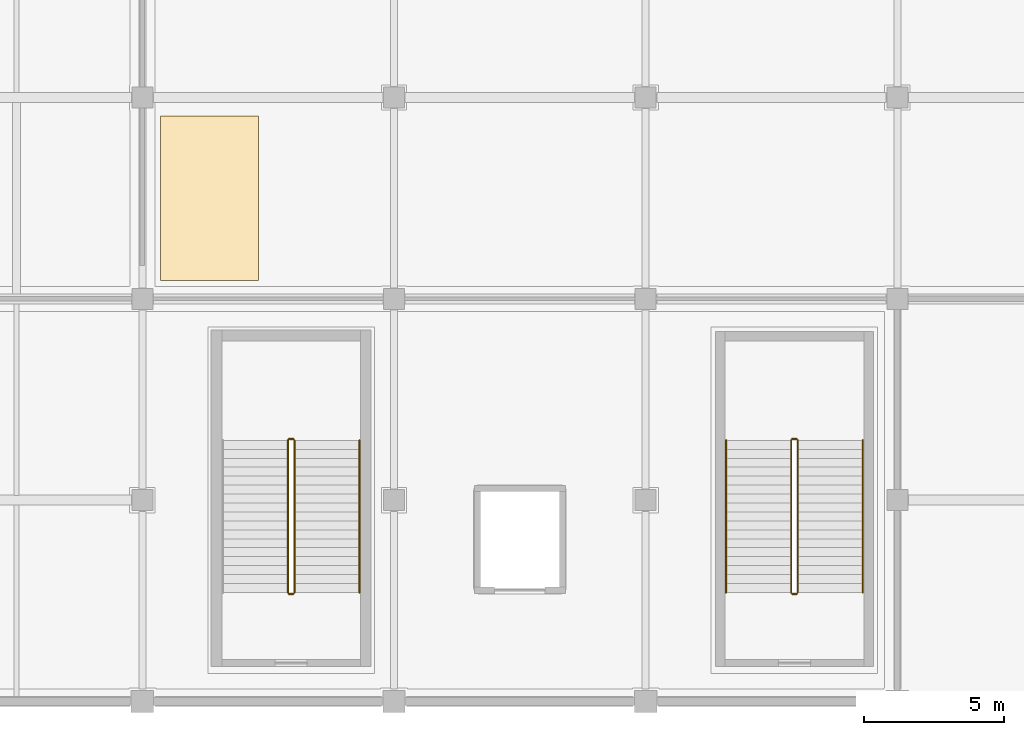
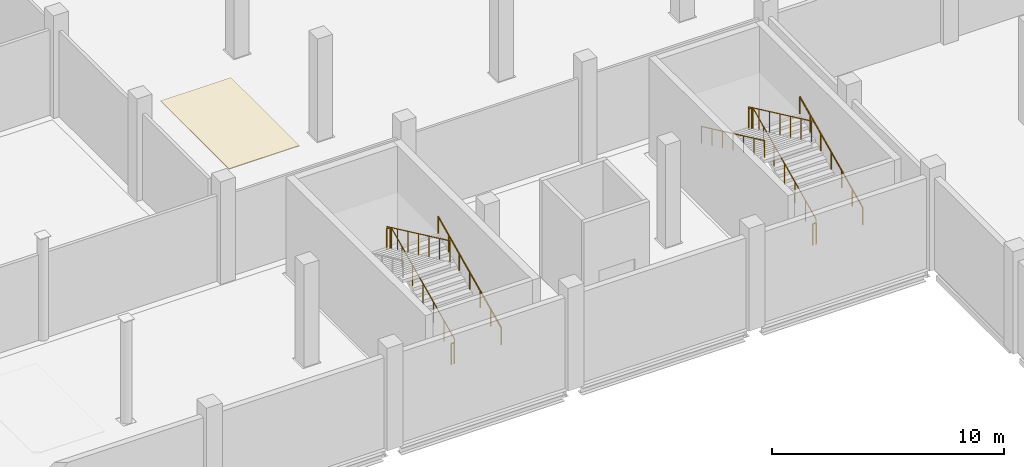
# One storey, part 163 of 189: 11 railings, 1 covering.
"""IFC4 building model written with IfcOpenShell, lengths in metres."""

from ifc_helpers import new_model, si_unit, direction, frame, origin, origin_2d, place, context, subcontext, project, spatial, polyline, circle, outline, extrude, material, layer, layer_set, type_object, element, save


model = new_model("IFC4")

# Units and contexts
model_context = context("Model", 3, precision=1e-05, world=origin(), true_north=direction((0.0, 1.0)))
body_context = subcontext(model_context, "Body", "Model", "MODEL_VIEW")
ifc_project = project(units=[si_unit("LENGTHUNIT", "METRE"), si_unit("AREAUNIT", "SQUARE_METRE"), si_unit("VOLUMEUNIT", "CUBIC_METRE"), si_unit("PLANEANGLEUNIT", "RADIAN"), si_unit("MASSUNIT", "GRAM", prefix="KILO")], contexts=[model_context])

# Site, building, storey
site_placement = place(None, origin())
site = spatial("IfcSite", under=ifc_project, at=site_placement, CompositionType="ELEMENT")
building_placement = place(site_placement, origin())
building = spatial("IfcBuilding", under=site, at=building_placement, Name="Celestram Park Convention Centre", CompositionType="ELEMENT")
storey_placement = place(building_placement, frame((0.0, 0.0, 5.39990234375)))
storey = spatial("IfcBuildingStorey", under=building, at=storey_placement, Name="L01", CompositionType="ELEMENT", Elevation=5.39990234375)

# Covering
ifc_material_1 = material(Name="Perforated Acoustic Mineral-Fibre Baffle Ceiling", Category="gypsum")
ifc_layer_1 = layer(ifc_material_1, 0.0400390625)
ifc_layer_set_1 = layer_set([ifc_layer_1], Name="Perforated Acoustic Mineral-Fibre Baffle Ceiling")
covering_type = type_object("IfcCoveringType", Name="ARC-COV-CLG040", PredefinedType="CEILING", material=ifc_layer_set_1)
covering_placement = place(storey_placement, frame((0.0, 0.0, 5.080078125)))
element("IfcCovering", 1, at=covering_placement, inside=storey, type_object=covering_type, Name="Lakefront Delegate Dining Hall acoustic baffle ceiling", PredefinedType="CEILING", context=body_context, shape_type="SweptSolid", body=[
    extrude(outline(polyline([(99.64990234375, 123.050048828125), (103.14990234375, 123.050048828125), (103.14990234375, 128.949951171875), (99.64990234375, 128.949951171875), (99.64990234375, 123.050048828125)])), origin(), (0.0, 0.0, 1.0), 0.0400390625),
])

# Railings
ifc_material_2 = material(Name="Stainless Steel AISI 316L & Laminated Glass", Category="steel")
ifc_layer_2 = layer(ifc_material_2, 0.06005859375)
ifc_layer_set_2 = layer_set([ifc_layer_2], Name="Stainless Steel AISI 316L & Laminated Glass")
railing_type_1 = type_object("IfcRailingType", Name="ARC-RL-GRD1120", PredefinedType="GUARDRAIL", material=ifc_layer_set_2)
railing_1_placement = place(storey_placement, frame((104.43603515625, 111.89990234375, 0.150146484375)))
element("IfcRailing", 2, at=railing_1_placement, inside=storey, type_object=railing_type_1, Name="L01 ST-03 stair guard 1", PredefinedType="GUARDRAIL", context=body_context, shape_type="SweptSolid", body=[
    extrude(circle(Radius=0.02392578125, at=origin_2d()), frame((0.0, 0.0, 1.09619140625), z_axis=(0.0, 0.905461375974, 0.424428670827), x_axis=(-1.0, 0.0, 0.0)), (0.0, 0.0, 1.0), 6.00830078125),
    extrude(circle(Radius=0.02099609375, at=origin_2d()), origin(), (0.0, 0.0, 1.0), 1.072021484375),
    extrude(circle(Radius=0.02099609375, at=origin_2d()), frame((0.0, 0.90673828125, 0.425048828125)), (0.0, 0.0, 1.0), 1.072021484375),
    extrude(circle(Radius=0.02099609375, at=origin_2d()), frame((0.0, 1.8134765625, 0.85009765625)), (0.0, 0.0, 1.0), 1.072021484375),
    extrude(circle(Radius=0.02099609375, at=origin_2d()), frame((0.0, 2.72021484375, 1.27490234375)), (0.0, 0.0, 1.0), 1.072021484375),
    extrude(circle(Radius=0.02099609375, at=origin_2d()), frame((0.0, 3.626708984375, 1.699951171875)), (0.0, 0.0, 1.0), 1.072021484375),
    extrude(circle(Radius=0.02099609375, at=origin_2d()), frame((0.0, 4.533447265625, 2.125)), (0.0, 0.0, 1.0), 1.072021484375),
    extrude(circle(Radius=0.02099609375, at=origin_2d()), frame((0.0, 5.440185546875, 2.550048828125)), (0.0, 0.0, 1.0), 1.072021484375),
])
railing_2_placement = place(storey_placement, frame((104.39990234375, 117.389892578125, 2.7001953125)))
element("IfcRailing", 3, at=railing_2_placement, inside=storey, type_object=railing_type_1, Name="L01 ST-03 stair guard 2", PredefinedType="GUARDRAIL", context=body_context, shape_type="SweptSolid", body=[
    extrude(circle(Radius=0.02392578125, at=origin_2d()), frame((0.0, 0.0, 1.09619140625), z_axis=(-1.0, 0.0, 0.0), x_axis=(0.0, -1.0, 0.0)), (0.0, 0.0, 1.0), 0.159912109375),
    extrude(circle(Radius=0.02099609375, at=origin_2d()), origin(), (0.0, 0.0, 1.0), 1.072021484375),
    extrude(circle(Radius=0.02099609375, at=origin_2d()), frame((-0.159912109375, 0.0, 0.0)), (0.0, 0.0, 1.0), 1.072021484375),
])
railing_3_placement = place(storey_placement, frame((104.2041015625, 117.340087890625, 2.85009765625)))
element("IfcRailing", 4, at=railing_3_placement, inside=storey, type_object=railing_type_1, Name="L01 ST-03 stair guard 3", PredefinedType="GUARDRAIL", context=body_context, shape_type="SweptSolid", body=[
    extrude(circle(Radius=0.02392578125, at=origin_2d()), frame((0.0, 0.0, 1.09619140625), z_axis=(0.0, -0.905461375974, 0.424428670827), x_axis=(1.0, 0.0, 0.0)), (0.0, 0.0, 1.0), 6.00830078125),
    extrude(circle(Radius=0.02099609375, at=origin_2d()), origin(), (0.0, 0.0, 1.0), 1.072021484375),
    extrude(circle(Radius=0.02099609375, at=origin_2d()), frame((0.0, -0.90673828125, 0.425048828125)), (0.0, 0.0, 1.0), 1.072021484375),
    extrude(circle(Radius=0.02099609375, at=origin_2d()), frame((0.0, -1.8134765625, 0.85009765625)), (0.0, 0.0, 1.0), 1.072021484375),
    extrude(circle(Radius=0.02099609375, at=origin_2d()), frame((0.0, -2.72021484375, 1.27490234375)), (0.0, 0.0, 1.0), 1.072021484375),
    extrude(circle(Radius=0.02099609375, at=origin_2d()), frame((0.0, -3.626708984375, 1.699951171875)), (0.0, 0.0, 1.0), 1.072021484375),
    extrude(circle(Radius=0.02099609375, at=origin_2d()), frame((0.0, -4.533447265625, 2.125)), (0.0, 0.0, 1.0), 1.072021484375),
    extrude(circle(Radius=0.02099609375, at=origin_2d()), frame((0.0, -5.440185546875, 2.550048828125)), (0.0, 0.0, 1.0), 1.072021484375),
])
railing_4_placement = place(storey_placement, frame((104.39990234375, 111.85009765625, 0.0)))
element("IfcRailing", 5, at=railing_4_placement, inside=storey, type_object=railing_type_1, Name="L01 ST-03 stair guard 4", PredefinedType="GUARDRAIL", context=body_context, shape_type="SweptSolid", body=[
    extrude(circle(Radius=0.02392578125, at=origin_2d()), frame((0.0, 0.0, 1.09619140625), z_axis=(-1.0, 0.0, 0.0), x_axis=(0.0, -1.0, 0.0)), (0.0, 0.0, 1.0), 0.159912109375),
    extrude(circle(Radius=0.02099609375, at=origin_2d()), origin(), (0.0, 0.0, 1.0), 1.072021484375),
    extrude(circle(Radius=0.02099609375, at=origin_2d()), frame((-0.159912109375, 0.0, 0.0)), (0.0, 0.0, 1.0), 1.072021484375),
])
railing_5_placement = place(storey_placement, frame((122.43603515625, 111.89990234375, 0.150146484375)))
element("IfcRailing", 6, at=railing_5_placement, inside=storey, type_object=railing_type_1, Name="L01 ST-20 stair guard 1", PredefinedType="GUARDRAIL", context=body_context, shape_type="SweptSolid", body=[
    extrude(circle(Radius=0.02392578125, at=origin_2d()), frame((0.0, 0.0, 1.09619140625), z_axis=(0.0, 0.905461375974, 0.424428670827), x_axis=(-1.0, 0.0, 0.0)), (0.0, 0.0, 1.0), 6.00830078125),
    extrude(circle(Radius=0.02099609375, at=origin_2d()), origin(), (0.0, 0.0, 1.0), 1.072021484375),
    extrude(circle(Radius=0.02099609375, at=origin_2d()), frame((0.0, 0.90673828125, 0.425048828125)), (0.0, 0.0, 1.0), 1.072021484375),
    extrude(circle(Radius=0.02099609375, at=origin_2d()), frame((0.0, 1.8134765625, 0.85009765625)), (0.0, 0.0, 1.0), 1.072021484375),
    extrude(circle(Radius=0.02099609375, at=origin_2d()), frame((0.0, 2.72021484375, 1.27490234375)), (0.0, 0.0, 1.0), 1.072021484375),
    extrude(circle(Radius=0.02099609375, at=origin_2d()), frame((0.0, 3.626708984375, 1.699951171875)), (0.0, 0.0, 1.0), 1.072021484375),
    extrude(circle(Radius=0.02099609375, at=origin_2d()), frame((0.0, 4.533447265625, 2.125)), (0.0, 0.0, 1.0), 1.072021484375),
    extrude(circle(Radius=0.02099609375, at=origin_2d()), frame((0.0, 5.440185546875, 2.550048828125)), (0.0, 0.0, 1.0), 1.072021484375),
])
railing_6_placement = place(storey_placement, frame((122.39990234375, 117.389892578125, 2.7001953125)))
element("IfcRailing", 7, at=railing_6_placement, inside=storey, type_object=railing_type_1, Name="L01 ST-20 stair guard 2", PredefinedType="GUARDRAIL", context=body_context, shape_type="SweptSolid", body=[
    extrude(circle(Radius=0.02392578125, at=origin_2d()), frame((0.0, 0.0, 1.09619140625), z_axis=(-1.0, 0.0, 0.0), x_axis=(0.0, -1.0, 0.0)), (0.0, 0.0, 1.0), 0.159912109375),
    extrude(circle(Radius=0.02099609375, at=origin_2d()), origin(), (0.0, 0.0, 1.0), 1.072021484375),
    extrude(circle(Radius=0.02099609375, at=origin_2d()), frame((-0.159912109375, 0.0, 0.0)), (0.0, 0.0, 1.0), 1.072021484375),
])
railing_7_placement = place(storey_placement, frame((122.2041015625, 117.340087890625, 2.85009765625)))
element("IfcRailing", 8, at=railing_7_placement, inside=storey, type_object=railing_type_1, Name="L01 ST-20 stair guard 3", PredefinedType="GUARDRAIL", context=body_context, shape_type="SweptSolid", body=[
    extrude(circle(Radius=0.02392578125, at=origin_2d()), frame((0.0, 0.0, 1.09619140625), z_axis=(0.0, -0.905461375974, 0.424428670827), x_axis=(1.0, 0.0, 0.0)), (0.0, 0.0, 1.0), 6.00830078125),
    extrude(circle(Radius=0.02099609375, at=origin_2d()), origin(), (0.0, 0.0, 1.0), 1.072021484375),
    extrude(circle(Radius=0.02099609375, at=origin_2d()), frame((0.0, -0.90673828125, 0.425048828125)), (0.0, 0.0, 1.0), 1.072021484375),
    extrude(circle(Radius=0.02099609375, at=origin_2d()), frame((0.0, -1.8134765625, 0.85009765625)), (0.0, 0.0, 1.0), 1.072021484375),
    extrude(circle(Radius=0.02099609375, at=origin_2d()), frame((0.0, -2.72021484375, 1.27490234375)), (0.0, 0.0, 1.0), 1.072021484375),
    extrude(circle(Radius=0.02099609375, at=origin_2d()), frame((0.0, -3.626708984375, 1.699951171875)), (0.0, 0.0, 1.0), 1.072021484375),
    extrude(circle(Radius=0.02099609375, at=origin_2d()), frame((0.0, -4.533447265625, 2.125)), (0.0, 0.0, 1.0), 1.072021484375),
    extrude(circle(Radius=0.02099609375, at=origin_2d()), frame((0.0, -5.440185546875, 2.550048828125)), (0.0, 0.0, 1.0), 1.072021484375),
])
railing_8_placement = place(storey_placement, frame((122.39990234375, 111.85009765625, 0.0)))
element("IfcRailing", 9, at=railing_8_placement, inside=storey, type_object=railing_type_1, Name="L01 ST-20 stair guard 4", PredefinedType="GUARDRAIL", context=body_context, shape_type="SweptSolid", body=[
    extrude(circle(Radius=0.02392578125, at=origin_2d()), frame((0.0, 0.0, 1.09619140625), z_axis=(-1.0, 0.0, 0.0), x_axis=(0.0, -1.0, 0.0)), (0.0, 0.0, 1.0), 0.159912109375),
    extrude(circle(Radius=0.02099609375, at=origin_2d()), origin(), (0.0, 0.0, 1.0), 1.072021484375),
    extrude(circle(Radius=0.02099609375, at=origin_2d()), frame((-0.159912109375, 0.0, 0.0)), (0.0, 0.0, 1.0), 1.072021484375),
])
ifc_material_3 = material(Name="Brushed Stainless Steel AISI 304", Category="steel")
ifc_layer_3 = layer(ifc_material_3, 0.048095703125)
ifc_layer_set_3 = layer_set([ifc_layer_3], Name="Brushed Stainless Steel AISI 304")
railing_type_2 = type_object("IfcRailingType", Name="ARC-RL-HND915", PredefinedType="HANDRAIL", material=ifc_layer_set_3)
for number, where, name in (
    (10, (106.763916015625, 111.89990234375, 0.150146484375), "L01 ST-03 stair handrail 1"),
    (11, (124.763916015625, 111.89990234375, 0.150146484375), "L01 ST-20 stair handrail 1"),
):
    element("IfcRailing", number, at=place(storey_placement, frame(where)), inside=storey, type_object=railing_type_2, Name=name, PredefinedType="HANDRAIL", context=body_context, shape_type="SweptSolid", body=[
        extrude(circle(Radius=0.02392578125, at=origin_2d()), frame((0.0, 0.0, 0.8759765625), z_axis=(0.0, 0.905461375974, 0.424428670827), x_axis=(-1.0, 0.0, 0.0)), (0.0, 0.0, 1.0), 6.00830078125),
        extrude(circle(Radius=0.02099609375, at=origin_2d()), origin(), (0.0, 0.0, 1.0), 0.851806640625),
        extrude(circle(Radius=0.02099609375, at=origin_2d()), frame((0.0, 0.90673828125, 0.425048828125)), (0.0, 0.0, 1.0), 0.851806640625),
        extrude(circle(Radius=0.02099609375, at=origin_2d()), frame((0.0, 1.8134765625, 0.85009765625)), (0.0, 0.0, 1.0), 0.851806640625),
        extrude(circle(Radius=0.02099609375, at=origin_2d()), frame((0.0, 2.72021484375, 1.27490234375)), (0.0, 0.0, 1.0), 0.851806640625),
        extrude(circle(Radius=0.02099609375, at=origin_2d()), frame((0.0, 3.626708984375, 1.699951171875)), (0.0, 0.0, 1.0), 0.851806640625),
        extrude(circle(Radius=0.02099609375, at=origin_2d()), frame((0.0, 4.533447265625, 2.125)), (0.0, 0.0, 1.0), 0.851806640625),
        extrude(circle(Radius=0.02099609375, at=origin_2d()), frame((0.0, 5.440185546875, 2.550048828125)), (0.0, 0.0, 1.0), 0.851806640625),
    ])
railing_9_placement = place(storey_placement, frame((119.8759765625, 117.340087890625, 2.85009765625)))
element("IfcRailing", 12, at=railing_9_placement, inside=storey, type_object=railing_type_2, Name="L01 ST-20 stair handrail 2", PredefinedType="HANDRAIL", context=body_context, shape_type="SweptSolid", body=[
    extrude(circle(Radius=0.02392578125, at=origin_2d()), frame((0.0, 0.0, 0.8759765625), z_axis=(0.0, -0.905461375974, 0.424428670827), x_axis=(1.0, 0.0, 0.0)), (0.0, 0.0, 1.0), 6.00830078125),
    extrude(circle(Radius=0.02099609375, at=origin_2d()), origin(), (0.0, 0.0, 1.0), 0.851806640625),
    extrude(circle(Radius=0.02099609375, at=origin_2d()), frame((0.0, -0.90673828125, 0.425048828125)), (0.0, 0.0, 1.0), 0.851806640625),
    extrude(circle(Radius=0.02099609375, at=origin_2d()), frame((0.0, -1.8134765625, 0.85009765625)), (0.0, 0.0, 1.0), 0.851806640625),
    extrude(circle(Radius=0.02099609375, at=origin_2d()), frame((0.0, -2.72021484375, 1.27490234375)), (0.0, 0.0, 1.0), 0.851806640625),
    extrude(circle(Radius=0.02099609375, at=origin_2d()), frame((0.0, -3.626708984375, 1.699951171875)), (0.0, 0.0, 1.0), 0.851806640625),
    extrude(circle(Radius=0.02099609375, at=origin_2d()), frame((0.0, -4.533447265625, 2.125)), (0.0, 0.0, 1.0), 0.851806640625),
    extrude(circle(Radius=0.02099609375, at=origin_2d()), frame((0.0, -5.440185546875, 2.550048828125)), (0.0, 0.0, 1.0), 0.851806640625),
])

save(model, "model.ifc")
